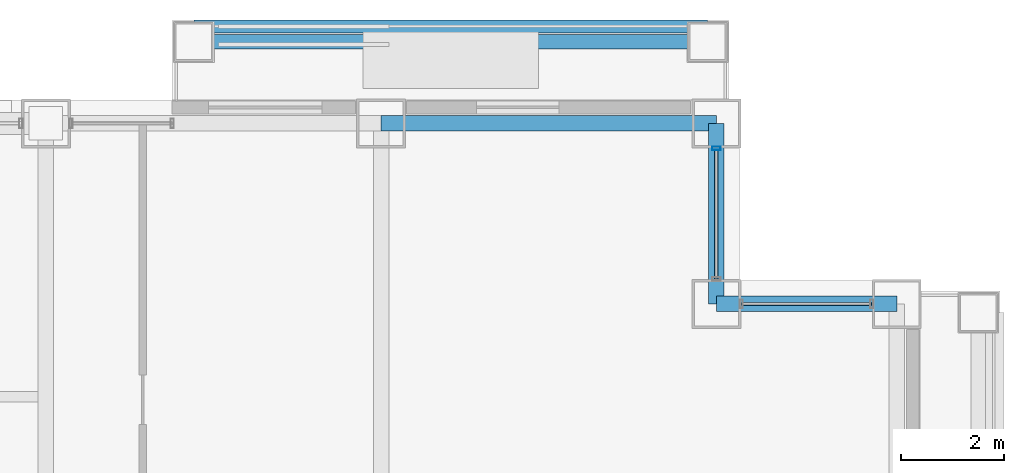
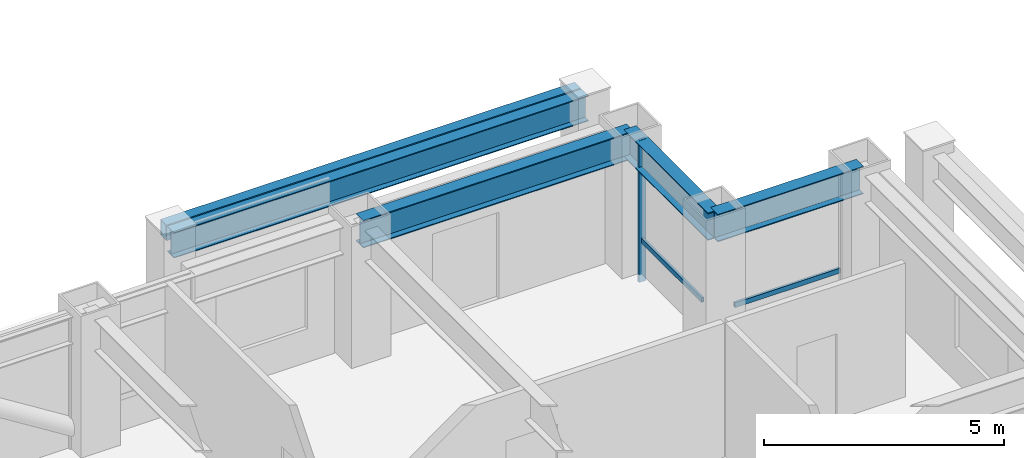
# One storey, part 24 of 34: 4 beams, 4 members, 2 elements without a shape of their own.
"""IFC4 building model written with IfcOpenShell, lengths in metres."""

from ifc_helpers import new_model, si_unit, direction, frame, origin, origin_2d, place, context, subcontext, project, spatial, hollow_rectangle, i_section, extrude, material, layer, layer_set, material_profile, profile_set, type_object, element, aggregate, save


model = new_model("IFC4")

# Units and contexts
model_context = context("Model", 3, precision=1e-05, world=origin(), true_north=direction((0.0, 1.0)))
body_context = subcontext(model_context, "Body", "Model", "MODEL_VIEW")
ifc_project = project(units=[si_unit("LENGTHUNIT", "METRE"), si_unit("AREAUNIT", "SQUARE_METRE"), si_unit("VOLUMEUNIT", "CUBIC_METRE"), si_unit("PLANEANGLEUNIT", "RADIAN"), si_unit("MASSUNIT", "GRAM", prefix="KILO")], contexts=[model_context])

# Site, building, storey
site_placement = place(None, origin())
site = spatial("IfcSite", under=ifc_project, at=site_placement, CompositionType="ELEMENT")
building_placement = place(site_placement, origin())
building = spatial("IfcBuilding", under=site, at=building_placement, Name="Brelmoor Portico Tower", CompositionType="ELEMENT")
storey_placement = place(building_placement, frame((0.0, 0.0, 45.60009765625)))
storey = spatial("IfcBuildingStorey", under=building, at=storey_placement, Name="L11", CompositionType="ELEMENT", Elevation=45.60009765625)

# Beams
ifc_material_1 = material(Name="Steel Q355B", Category="steel")
ifc_material_profile_1 = material_profile(ifc_material_1, i_section(OverallWidth=0.280029296875, OverallDepth=0.64990234375, WebThickness=0.012939453125, FlangeThickness=0.02197265625, at=origin_2d()), Name="HN 650x280x13x22")
ifc_profile_set_1 = profile_set([ifc_material_profile_1], Name="Steel Q355B")
beam_type_1 = type_object("IfcBeamType", Name="BM-SP-650", PredefinedType="SPANDREL", material=ifc_profile_set_1)
beam_1_placement = place(storey_placement, frame((10.919921875, 23.1298828125, 3.074951171875), z_axis=(1.0, 0.0, 0.0), x_axis=(0.0, 1.0, 0.0)))
element("IfcBeam", 1, at=beam_1_placement, inside=storey, type_object=beam_type_1, Name="L11 Picture-Frame Perimeter Lintel Beam N1", PredefinedType="SPANDREL", context=body_context, shape_type="SweptSolid", body=[
    extrude(i_section(OverallWidth=0.280029296875, OverallDepth=0.64990234375, WebThickness=0.012939453125, FlangeThickness=0.02197265625, at=origin_2d()), origin(), (0.0, 0.0, 1.0), 9.9599609375),
])
ifc_material_profile_2 = material_profile(ifc_material_1, i_section(OverallWidth=0.300048828125, OverallDepth=0.699951171875, WebThickness=0.012939453125, FlangeThickness=0.02392578125, at=origin_2d()), Name="HN 700x300x13x24")
ifc_profile_set_2 = profile_set([ifc_material_profile_2], Name="Steel Q355B")
beam_type_2 = type_object("IfcBeamType", Name="BM-SP-700", PredefinedType="SPANDREL", material=ifc_profile_set_2)
beam_2_placement = place(storey_placement, frame((21.050048828125, 18.050048828125, 3.0498046875), z_axis=(1.0, 0.0, 0.0), x_axis=(0.0, 1.0, 0.0)))
element("IfcBeam", 2, at=beam_2_placement, inside=storey, type_object=beam_type_2, Name="L11 Perimeter Spandrel Beam SP-09", PredefinedType="SPANDREL", context=body_context, shape_type="SweptSolid", body=[
    extrude(i_section(OverallWidth=0.300048828125, OverallDepth=0.699951171875, WebThickness=0.012939453125, FlangeThickness=0.02392578125, at=origin_2d()), origin(), (0.0, 0.0, 1.0), 3.5),
])
beam_3_placement = place(storey_placement, frame((14.550048828125, 21.550048828125, 3.0498046875), z_axis=(1.0, 0.0, 0.0), x_axis=(0.0, 1.0, 0.0)))
element("IfcBeam", 3, at=beam_3_placement, inside=storey, type_object=beam_type_2, Name="L11 Perimeter Spandrel Beam SP-14", PredefinedType="SPANDREL", context=body_context, shape_type="SweptSolid", body=[
    extrude(i_section(OverallWidth=0.300048828125, OverallDepth=0.699951171875, WebThickness=0.012939453125, FlangeThickness=0.02392578125, at=origin_2d()), origin(), (0.0, 0.0, 1.0), 6.5),
])
beam_4_placement = place(storey_placement, frame((21.050048828125, 18.050048828125, 3.0498046875), z_axis=(0.0, 1.0, 0.0), x_axis=(-1.0, 0.0, 0.0)))
element("IfcBeam", 4, at=beam_4_placement, inside=storey, type_object=beam_type_2, Name="L11 Perimeter Spandrel Beam SP-21", PredefinedType="SPANDREL", context=body_context, shape_type="SweptSolid", body=[
    extrude(i_section(OverallWidth=0.300048828125, OverallDepth=0.699951171875, WebThickness=0.012939453125, FlangeThickness=0.02392578125, at=origin_2d()), origin(), (0.0, 0.0, 1.0), 3.5),
])

# Curtain wall, member
ifc_material_2 = material(Name="Anodised Aluminium Alloy 6063-T6", Category="aluminium")
ifc_layer = layer(ifc_material_2, 0.179931640625)
ifc_layer_set = layer_set([ifc_layer], Name="Anodised Aluminium Alloy 6063-T6")
curtain_wall_type = type_object("IfcCurtainWallType", Name="CW-NOTCH-CHAMFER", PredefinedType="NOTDEFINED", material=ifc_layer_set)
curtain_wall_1_placement = place(storey_placement, origin())
curtain_wall_1 = element("IfcCurtainWall", 5, at=curtain_wall_1_placement, inside=storey, type_object=curtain_wall_type, Name="L11 Curtain Wall CWN-L11-NEV", PredefinedType="NOTDEFINED")
ifc_material_profile_3 = material_profile(ifc_material_2, hollow_rectangle(XDim=0.06494140625, YDim=0.1650390625, WallThickness=0.00390625, at=origin_2d()), Name="ALU MULLION 65x165")
ifc_profile_set_3 = profile_set([ifc_material_profile_3], Name="Anodised Aluminium Alloy 6063-T6")
member_type_1 = type_object("IfcMemberType", Name="MB-CW-MULL-165", PredefinedType="MULLION", material=ifc_profile_set_3)
member_1_placement = place(storey_placement, frame((21.050048828125, 21.06494140625, -0.2001953125), z_axis=(0.0, 0.0, 1.0), x_axis=(0.0, 1.0, 0.0)))
member_1 = element("IfcMember", 6, at=member_1_placement, type_object=member_type_1, Name="CWN-L11-NEV Mullion 01", PredefinedType="MULLION", context=body_context, shape_type="SweptSolid", body=[
    extrude(hollow_rectangle(XDim=0.06494140625, YDim=0.1650390625, WallThickness=0.00390625, at=origin_2d()), origin(), (0.0, 0.0, 1.0), 3.60009765625),
])

curtain_wall_2_placement = place(storey_placement, origin())
curtain_wall_2 = element("IfcCurtainWall", 7, at=curtain_wall_2_placement, inside=storey, type_object=curtain_wall_type, Name="L11 Curtain Wall CWN-L11-NEH", PredefinedType="NOTDEFINED")
ifc_material_profile_4 = material_profile(ifc_material_2, hollow_rectangle(XDim=0.06005859375, YDim=0.125, WallThickness=0.00341796875, at=origin_2d()), Name="ALU TRANSOM 60x125")
ifc_profile_set_4 = profile_set([ifc_material_profile_4], Name="Anodised Aluminium Alloy 6063-T6")
member_type_2 = type_object("IfcMemberType", Name="MB-CW-TRAN-125", PredefinedType="USERDEFINED", material=ifc_profile_set_4)
member_2_placement = place(storey_placement, frame((21.534912109375, 18.050048828125, 0.849853515625), z_axis=(1.0, 0.0, 0.0), x_axis=(0.0, 1.0, 0.0)))
member_2 = element("IfcMember", 8, at=member_2_placement, type_object=member_type_2, Name="CWN-L11-NEH Transom 1-00", ObjectType="TRANSOM", PredefinedType="USERDEFINED", context=body_context, shape_type="SweptSolid", body=[
    extrude(hollow_rectangle(XDim=0.06005859375, YDim=0.125, WallThickness=0.00341796875, at=origin_2d()), origin(), (0.0, 0.0, 1.0), 2.530029296875),
])
aggregate(curtain_wall_2, [member_2])

# Member
member_3_placement = place(storey_placement, frame((21.050048828125, 18.534912109375, 0.849853515625), z_axis=(0.0, 1.0, 0.0), x_axis=(-1.0, 0.0, 0.0)))
member_3 = element("IfcMember", 9, at=member_3_placement, type_object=member_type_2, Name="CWN-L11-NEV Transom 1-00", ObjectType="TRANSOM", PredefinedType="USERDEFINED", context=body_context, shape_type="SweptSolid", body=[
    extrude(hollow_rectangle(XDim=0.06005859375, YDim=0.125, WallThickness=0.00341796875, at=origin_2d()), origin(), (0.0, 0.0, 1.0), 2.530029296875),
])

aggregate(curtain_wall_1, [member_1, member_3])

ifc_material_3 = material(Name="Pale Champagne Fluoropolymer-Coated Steel Q355B", Category="steel")
ifc_material_profile_5 = material_profile(ifc_material_3, hollow_rectangle(XDim=0.25, YDim=0.39990234375, WallThickness=0.013916015625, at=origin_2d()), Name="RHS 250x400x14")
ifc_profile_set_5 = profile_set([ifc_material_profile_5], Name="Pale Champagne Fluoropolymer-Coated Steel Q355B")
member_type_3 = type_object("IfcMemberType", Name="MB-PF-HEADER", PredefinedType="MEMBER", material=ifc_profile_set_5)
member_4_placement = place(storey_placement, frame((10.919921875, 23.429931640625, 3.199951171875), z_axis=(1.0, 0.0, 0.0), x_axis=(0.0, 1.0, 0.0)))
element("IfcMember", 10, at=member_4_placement, inside=storey, type_object=member_type_3, Name="L11 Picture-Frame Header N", PredefinedType="MEMBER", context=body_context, shape_type="SweptSolid", body=[
    extrude(hollow_rectangle(XDim=0.25, YDim=0.39990234375, WallThickness=0.013916015625, at=origin_2d()), origin(), (0.0, 0.0, 1.0), 9.9599609375),
])

save(model, "model.ifc")
